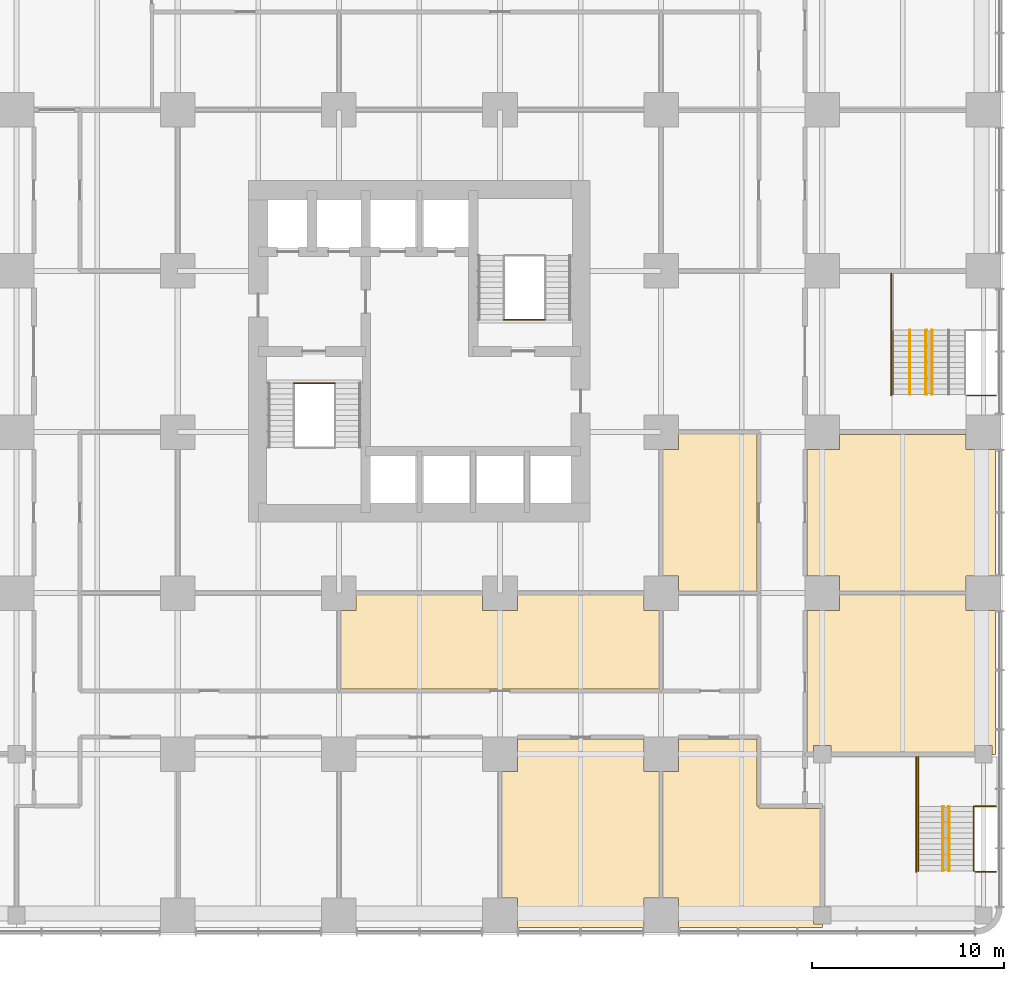
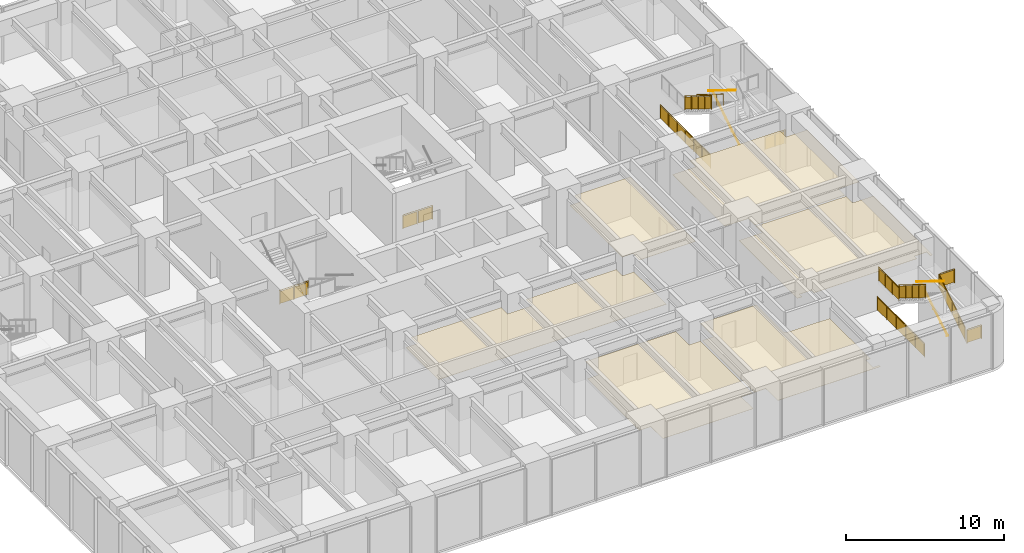
# One storey, part 15 of 17: 16 railings, 6 coverings.
"""IFC4 building model written with IfcOpenShell, lengths in metres."""

import ifcopenshell
import ifcopenshell.guid

model = None  # the IFC model being written
_history = None  # IfcOwnerHistory: only IFC2X3 demands one
_inside = {}  # id of a spatial element -> (the spatial element, [elements in it])
_under = {}  # id of a project, library or spatial element -> (it, [spatial elements below it])
_declared = {}  # id of a project -> (the project, [libraries it declares])
_typed = {}  # id of a type object -> (the type object, [elements of that type])
_made_of = {}  # id of a material, layer set ... -> (it, [elements and type objects made of it])


def new_model(schema):
    """Start an empty IFC model of exactly this schema.

    Asked for "IFC4X3", IfcOpenShell would pick the latest addendum, in which some entities
    have other attributes; the version numbers below select the first issue.
    IFC2X3 requires an IfcOwnerHistory on every rooted entity: one is made here for all.
    """
    global model, _history
    if schema == "IFC4X3":
        model = ifcopenshell.file(schema_version=(4, 3, 0, 0))
    else:
        model = ifcopenshell.file(schema=schema)
    _inside.clear()
    _under.clear()
    _declared.clear()
    _typed.clear()
    _made_of.clear()
    _history = None
    if model.schema == "IFC2X3":
        org = make("IfcOrganization", Name="unknown")
        user = make(
            "IfcPersonAndOrganization",
            ThePerson=make("IfcPerson", FamilyName="unknown"),
            TheOrganization=org,
        )
        app = make(
            "IfcApplication",
            ApplicationDeveloper=org,
            Version="unknown",
            ApplicationFullName="unknown",
            ApplicationIdentifier="unknown",
        )
        _history = make(
            "IfcOwnerHistory",
            OwningUser=user,
            OwningApplication=app,
            ChangeAction="ADDED",
            CreationDate=0,
        )
    return model


def make(cls, **values):
    """One entity of the class cls with the attributes given. An attribute that is None is left unset."""
    return model.create_entity(
        cls, **{name: value for name, value in values.items() if value is not None}
    )


def rooted(cls, **values):
    """An entity with a GlobalId (a new one), such as an element, a storey or a relation."""
    return make(cls, GlobalId=ifcopenshell.guid.new(), OwnerHistory=_history, **values)


def si_unit(unit_type, name, prefix=None):
    """IfcSIUnit, for example si_unit("LENGTHUNIT", "METRE", prefix="MILLI")."""
    return make("IfcSIUnit", UnitType=unit_type, Prefix=prefix, Name=name)


def assignment(units):
    """IfcUnitAssignment: the units of a project."""
    return None if units is None else make("IfcUnitAssignment", Units=units)


def point(xyz):
    """IfcCartesianPoint."""
    return None if xyz is None else make("IfcCartesianPoint", Coordinates=xyz)


def direction(xyz):
    """IfcDirection."""
    return None if xyz is None else make("IfcDirection", DirectionRatios=xyz)


def frame(location, z_axis=None, x_axis=None):
    """IfcAxis2Placement3D, a coordinate frame: its origin and axes. An axis left out is left unset."""
    return make(
        "IfcAxis2Placement3D",
        Location=point(location),
        Axis=direction(z_axis),
        RefDirection=direction(x_axis),
    )


def frame_2d(location, x_axis=None):
    """IfcAxis2Placement2D, a coordinate frame in the plane: its origin and x axis."""
    return make(
        "IfcAxis2Placement2D", Location=point(location), RefDirection=direction(x_axis)
    )


def origin():
    """The frame at (0, 0, 0) with its axes left unset."""
    return frame((0.0, 0.0, 0.0))


def origin_2d():
    """The frame at (0, 0) in the plane with its x axis left unset."""
    return frame_2d((0.0, 0.0))


def place(relative_to, where):
    """IfcLocalPlacement: puts the frame where relative to a parent placement (None: the world)."""
    return make(
        "IfcLocalPlacement", PlacementRelTo=relative_to, RelativePlacement=where
    )


def context(
    kind, dimensions, precision=None, world=None, true_north=None, identifier=None
):
    """IfcGeometricRepresentationContext, for example the 3D "Model" context."""
    return make(
        "IfcGeometricRepresentationContext",
        ContextIdentifier=identifier,
        ContextType=kind,
        CoordinateSpaceDimension=dimensions,
        Precision=precision,
        WorldCoordinateSystem=world,
        TrueNorth=true_north,
    )


def subcontext(parent, identifier, kind, view, scale=None):
    """IfcGeometricRepresentationSubContext, for example "Body" below "Model"."""
    return make(
        "IfcGeometricRepresentationSubContext",
        ContextIdentifier=identifier,
        ContextType=kind,
        ParentContext=parent,
        TargetScale=scale,
        TargetView=view,
    )


def project(units=None, contexts=None):
    """IfcProject with its units and contexts."""
    return rooted(
        "IfcProject",
        Name="project",
        RepresentationContexts=contexts,
        UnitsInContext=assignment(units),
    )


def spatial(cls, under=None, at=None, **own):
    """A site, building, storey or space (cls), placed at a placement, below another one or the project."""
    s = rooted(cls, ObjectPlacement=at, **own)
    if under is not None:
        _under.setdefault(under.id(), (under, []))[1].append(s)
    return s


def polyline(points):
    """IfcPolyline through the points."""
    return make("IfcPolyline", Points=[point(p) for p in points])


def profile(cls, at=None, kind="AREA", **sizes):
    """A parametric profile (cls). Its sizes go by their IFC names, for example OverallWidth=200.0."""
    return make(cls, ProfileType=kind, Position=at, **sizes)


def circle(**sizes):
    """IfcCircleProfileDef."""
    return profile("IfcCircleProfileDef", **sizes)


def outline(outer, holes=None, kind="AREA"):
    """IfcArbitraryClosedProfileDef: a profile drawn as a closed curve; with holes, ...WithVoids."""
    if holes is None:
        return make("IfcArbitraryClosedProfileDef", ProfileType=kind, OuterCurve=outer)
    return make(
        "IfcArbitraryProfileDefWithVoids",
        ProfileType=kind,
        OuterCurve=outer,
        InnerCurves=holes,
    )


def extrude(swept, where, along, depth):
    """IfcExtrudedAreaSolid: the profile swept, set in the frame where, extruded along a direction by depth."""
    return make(
        "IfcExtrudedAreaSolid",
        SweptArea=swept,
        Position=where,
        ExtrudedDirection=direction(along),
        Depth=depth,
    )


def shape(context_of_items, identifier, shape_type, items):
    """IfcShapeRepresentation: the items that make up one representation, for example the "Body"."""
    return make(
        "IfcShapeRepresentation",
        ContextOfItems=context_of_items,
        RepresentationIdentifier=identifier,
        RepresentationType=shape_type,
        Items=items,
    )


def material(Name=None, Category=None):
    """IfcMaterial."""
    return make("IfcMaterial", Name=Name, Category=Category)


def layer(
    of_material, thickness, ventilated=None, Name=None, Category=None, Priority=None
):
    """IfcMaterialLayer: one layer of a wall or slab, of a material (None: an air gap)."""
    return make(
        "IfcMaterialLayer",
        Material=of_material,
        LayerThickness=thickness,
        IsVentilated=ventilated,
        Name=Name,
        Category=Category,
        Priority=Priority,
    )


def layer_set(layers, Name=None):
    """IfcMaterialLayerSet."""
    return make("IfcMaterialLayerSet", MaterialLayers=layers, LayerSetName=Name)


def made_of(thing, what):
    """Note that an element or type object is made of a material, layer set ...; save() writes the relation."""
    if what is not None:
        _made_of.setdefault(what.id(), (what, []))[1].append(thing)
    return thing


def type_object(cls, material=None, **own):
    """A type object (cls), such as IfcWallType, which elements share."""
    return made_of(rooted(cls, **own), material)


def element(
    cls,
    number,
    at=None,
    inside=None,
    cuts=None,
    type_object=None,
    material=None,
    context=None,
    identifier="Body",
    shape_type=None,
    held_by="IfcProductDefinitionShape",
    body=None,
    shapes=None,
    **own,
):
    """One element of the class cls, such as IfcWall. Its Tag is "e" and its number.

    at: its placement. inside: the storey or other place that contains it. cuts: it is an
    opening in that element (IfcRelVoidsElement). A single representation is given by context,
    identifier, shape_type and body (its items); several are given by shapes. held_by: the class
    of the entity that holds the representations. save() writes the other relations.
    """
    e = rooted(cls, Tag="e%d" % number, ObjectPlacement=at, **own)
    if body is not None:
        shapes = [shape(context, identifier, shape_type, body)]
    if shapes is not None:
        e.Representation = make(held_by, Representations=shapes)
    if inside is not None:
        _inside.setdefault(inside.id(), (inside, []))[1].append(e)
    if cuts is not None:
        rooted(
            "IfcRelVoidsElement", RelatingBuildingElement=cuts, RelatedOpeningElement=e
        )
    if type_object is not None:
        _typed.setdefault(type_object.id(), (type_object, []))[1].append(e)
    return made_of(e, material)


def aggregate(whole, parts):
    """IfcRelAggregates: a whole, such as a stair, and the parts it consists of."""
    return rooted("IfcRelAggregates", RelatingObject=whole, RelatedObjects=parts)


def save(model, path):
    """Write the relations noted so far, then the file.

    IfcRelAggregates (storeys below a building ...), IfcRelContainedInSpatialStructure (elements
    in a storey), IfcRelDefinesByType, IfcRelAssociatesMaterial and IfcRelDeclares: one each for
    every whole, place, type object, material and project.
    """
    for whole, parts in _under.values():
        aggregate(whole, parts)
    for where, things in _inside.values():
        rooted(
            "IfcRelContainedInSpatialStructure",
            RelatedElements=things,
            RelatingStructure=where,
        )
    for kind, things in _typed.values():
        rooted("IfcRelDefinesByType", RelatedObjects=things, RelatingType=kind)
    for what, things in _made_of.values():
        rooted("IfcRelAssociatesMaterial", RelatedObjects=things, RelatingMaterial=what)
    for by, libraries in _declared.values():
        rooted("IfcRelDeclares", RelatingContext=by, RelatedDefinitions=libraries)
    model.write(path)


model = new_model("IFC4")

# Units and contexts
model_context = context("Model", 3, precision=1e-05, world=origin(), true_north=direction((0.0, 1.0)))
body_context = subcontext(model_context, "Body", "Model", "MODEL_VIEW")
ifc_project = project(units=[si_unit("LENGTHUNIT", "METRE"), si_unit("AREAUNIT", "SQUARE_METRE"), si_unit("VOLUMEUNIT", "CUBIC_METRE"), si_unit("PLANEANGLEUNIT", "RADIAN"), si_unit("MASSUNIT", "GRAM", prefix="KILO")], contexts=[model_context])

# Site, building, storey
site_placement = place(None, origin())
site = spatial("IfcSite", under=ifc_project, at=site_placement, CompositionType="ELEMENT")
building_placement = place(site_placement, origin())
building = spatial("IfcBuilding", under=site, at=building_placement, Name="Torre Alcanfor", CompositionType="ELEMENT")
storey_placement = place(building_placement, frame((0.0, 0.0, 19.5)))
storey = spatial("IfcBuildingStorey", under=building, at=storey_placement, Name="L04", CompositionType="ELEMENT", Elevation=19.5)

# Coverings
ifc_material_1 = material(Name="Mineral fibre acoustic tile 20 mm, NRC 0.70, on exposed suspension grid", Category="mineral fibre")
ifc_layer = layer(ifc_material_1, 0.02001953125)
ifc_layer_set = layer_set([ifc_layer], Name="Acoustic suspended ceiling 600x600 mineral fibre tile")
covering_type = type_object("IfcCoveringType", Name="Acoustic suspended ceiling 600x600 mineral fibre tile", PredefinedType="CEILING", material=ifc_layer_set)
covering_1_placement = place(storey_placement, frame((0.0, 0.0, 2.75)))
element("IfcCovering", 1, at=covering_1_placement, inside=storey, type_object=covering_type, Name="Ceiling L04-02", PredefinedType="CEILING", context=body_context, shape_type="SweptSolid", body=[
    extrude(outline(polyline([(49.949951171875, -0.449951171875), (49.949951171875, 0.449951171875), (50.27490234375, 0.449951171875), (50.27490234375, 5.574951171875), (49.5, 5.574951171875), (49.5, 5.60009765625), (47.10009765625, 5.60009765625), (47.10009765625, 5.699951171875), (47.0, 5.699951171875), (47.0, 9.199951171875), (42.89990234375, 9.199951171875), (42.89990234375, 7.5), (42.074951171875, 7.5), (42.074951171875, 0.89990234375), (42.89990234375, 0.89990234375), (42.89990234375, -0.625), (50.39990234375, -0.625), (50.39990234375, -0.449951171875), (49.949951171875, -0.449951171875)])), origin(), (0.0, 0.0, 1.0), 0.02001953125),
])
covering_2_placement = place(storey_placement, frame((0.0, 0.0, 2.75)))
element("IfcCovering", 2, at=covering_2_placement, inside=storey, type_object=covering_type, Name="Ceiling L04-07", PredefinedType="CEILING", context=body_context, shape_type="SweptSolid", body=[
    extrude(outline(polyline([(41.925048828125, 7.5), (41.10009765625, 7.5), (41.10009765625, 9.199951171875), (34.5, 9.199951171875), (34.5, 7.5), (33.675048828125, 7.5), (33.675048828125, 0.89990234375), (34.5, 0.89990234375), (34.5, -0.625), (41.10009765625, -0.625), (41.10009765625, 0.89990234375), (41.925048828125, 0.89990234375), (41.925048828125, 7.5)])), origin(), (0.0, 0.0, 1.0), 0.02001953125),
])
covering_3_placement = place(storey_placement, frame((0.0, 0.0, 2.75)))
element("IfcCovering", 3, at=covering_3_placement, inside=storey, type_object=covering_type, Name="Ceiling L04-09", PredefinedType="CEILING", context=body_context, shape_type="SweptSolid", body=[
    extrude(outline(polyline([(51.300048828125, 16.72509765625), (51.300048828125, 15.89990234375), (49.60009765625, 15.89990234375), (49.60009765625, 8.52490234375), (49.949951171875, 8.52490234375), (49.949951171875, 8.85009765625), (50.85009765625, 8.85009765625), (50.85009765625, 8.52490234375), (58.35009765625, 8.52490234375), (58.35009765625, 8.85009765625), (59.25, 8.85009765625), (59.25, 8.39990234375), (59.425048828125, 8.39990234375), (59.425048828125, 15.89990234375), (57.89990234375, 15.89990234375), (57.89990234375, 16.72509765625), (51.300048828125, 16.72509765625)])), origin(), (0.0, 0.0, 1.0), 0.02001953125),
])
covering_4_placement = place(storey_placement, frame((0.0, 0.0, 2.75)))
element("IfcCovering", 4, at=covering_4_placement, inside=storey, type_object=covering_type, Name="Ceiling L04-11", PredefinedType="CEILING", context=body_context, shape_type="SweptSolid", body=[
    extrude(outline(polyline([(51.300048828125, 25.074951171875), (51.300048828125, 24.300048828125), (49.60009765625, 24.300048828125), (49.60009765625, 17.699951171875), (51.300048828125, 17.699951171875), (51.300048828125, 16.875), (57.89990234375, 16.875), (57.89990234375, 17.699951171875), (59.425048828125, 17.699951171875), (59.425048828125, 24.300048828125), (57.89990234375, 24.300048828125), (57.89990234375, 25.074951171875), (51.300048828125, 25.074951171875)])), origin(), (0.0, 0.0, 1.0), 0.02001953125),
])
covering_5_placement = place(storey_placement, frame((0.0, 0.0, 3.0)))
element("IfcCovering", 5, at=covering_5_placement, inside=storey, type_object=covering_type, Name="Ceiling L04-I01", PredefinedType="CEILING", context=body_context, shape_type="SweptSolid", body=[
    extrude(outline(polyline([(34.5, 15.89990234375), (32.699951171875, 15.89990234375), (32.699951171875, 16.699951171875), (26.10009765625, 16.699951171875), (26.10009765625, 15.89990234375), (25.27490234375, 15.89990234375), (25.27490234375, 11.800048828125), (41.925048828125, 11.800048828125), (41.925048828125, 15.89990234375), (41.10009765625, 15.89990234375), (41.10009765625, 16.699951171875), (34.5, 16.699951171875), (34.5, 15.89990234375)])), origin(), (0.0, 0.0, 1.0), 0.02001953125),
])
covering_6_placement = place(storey_placement, frame((0.0, 0.0, 3.0)))
element("IfcCovering", 6, at=covering_6_placement, inside=storey, type_object=covering_type, Name="Ceiling L04-I05", PredefinedType="CEILING", context=body_context, shape_type="SweptSolid", body=[
    extrude(outline(polyline([(42.89990234375, 25.10009765625), (42.89990234375, 24.300048828125), (42.10009765625, 24.300048828125), (42.10009765625, 17.699951171875), (42.89990234375, 17.699951171875), (42.89990234375, 16.875), (47.0, 16.875), (47.0, 25.10009765625), (42.89990234375, 25.10009765625)])), origin(), (0.0, 0.0, 1.0), 0.02001953125),
])

# Railings
ifc_material_2 = material(Name="Steel ASTM A500 Grade C hollow sections", Category="steel")
railing_type_1 = type_object("IfcRailingType", Name="Stair guard and handrail 1100", PredefinedType="GUARDRAIL", material=ifc_material_2)
for number, where, name in (
    (7, (22.85009765625, 27.75, 0.0), "Stair well guard S1 L04 floor landing"),
    (8, (33.800048828125, 31.050048828125, 0.0), "Stair well guard S2 L04 floor landing"),
):
    element("IfcRailing", number, at=place(storey_placement, frame(where)), inside=storey, type_object=railing_type_1, Name=name, PredefinedType="GUARDRAIL", context=body_context, shape_type="SweptSolid", body=[
        extrude(circle(Radius=0.02392578125, at=origin_2d()), frame((0.0, 0.0, 1.076171875), z_axis=(1.0, 0.0, 0.0), x_axis=(0.0, 1.0, 0.0)), (0.0, 0.0, 1.0), 2.14990234375),
        extrude(circle(Radius=0.02099609375, at=origin_2d()), origin(), (0.0, 0.0, 1.0), 1.052001953125),
        extrude(circle(Radius=0.02099609375, at=origin_2d()), frame((1.074951171875, 0.0, 0.0)), (0.0, 0.0, 1.0), 1.052001953125),
        extrude(circle(Radius=0.02099609375, at=origin_2d()), frame((2.14990234375, 0.0, 0.0)), (0.0, 0.0, 1.0), 1.052001953125),
        extrude(outline(polyline([(0.041015625, 0.050048828125), (1.033935546875, 0.050048828125), (1.033935546875, 1.001953125), (0.041015625, 1.001953125), (0.041015625, 0.050048828125)])), frame((0.0, 0.005859375, 0.0), z_axis=(0.0, -1.0, 0.0), x_axis=(1.0, 0.0, 0.0)), (0.0, 0.0, 1.0), 0.011962890625),
        extrude(outline(polyline([(1.115966796875, 0.050048828125), (2.10888671875, 0.050048828125), (2.10888671875, 1.001953125), (1.115966796875, 1.001953125), (1.115966796875, 0.050048828125)])), frame((0.0, 0.005859375, 0.0), z_axis=(0.0, -1.0, 0.0), x_axis=(1.0, 0.0, 0.0)), (0.0, 0.0, 1.0), 0.011962890625),
    ])
railing_1_placement = place(storey_placement, frame((53.989990234375, 27.10498046875, 0.0)))
element("IfcRailing", 9, at=railing_1_placement, inside=storey, type_object=railing_type_1, Name="Stair well guard SS2 L04 door side", PredefinedType="GUARDRAIL", context=body_context, shape_type="SweptSolid", body=[
    extrude(circle(Radius=0.02392578125, at=origin_2d()), frame((0.0, 0.0, 1.076171875), z_axis=(0.0, 1.0, 0.0), x_axis=(-1.0, 0.0, 0.0)), (0.0, 0.0, 1.0), 6.360107421875),
    extrude(circle(Radius=0.02099609375, at=origin_2d()), origin(), (0.0, 0.0, 1.0), 1.052001953125),
    extrude(circle(Radius=0.02099609375, at=origin_2d()), frame((0.0, 1.06005859375, 0.0)), (0.0, 0.0, 1.0), 1.052001953125),
    extrude(circle(Radius=0.02099609375, at=origin_2d()), frame((0.0, 2.1201171875, 0.0)), (0.0, 0.0, 1.0), 1.052001953125),
    extrude(circle(Radius=0.02099609375, at=origin_2d()), frame((0.0, 3.18017578125, 0.0)), (0.0, 0.0, 1.0), 1.052001953125),
    extrude(circle(Radius=0.02099609375, at=origin_2d()), frame((0.0, 4.239990234375, 0.0)), (0.0, 0.0, 1.0), 1.052001953125),
    extrude(circle(Radius=0.02099609375, at=origin_2d()), frame((0.0, 5.300048828125, 0.0)), (0.0, 0.0, 1.0), 1.052001953125),
    extrude(circle(Radius=0.02099609375, at=origin_2d()), frame((0.0, 6.360107421875, 0.0)), (0.0, 0.0, 1.0), 1.052001953125),
    extrude(outline(polyline([(0.041015625, 0.050048828125), (1.01904296875, 0.050048828125), (1.01904296875, 1.001953125), (0.041015625, 1.001953125), (0.041015625, 0.050048828125)])), frame((-0.005859375, 0.0, 0.0), z_axis=(1.0, 0.0, 0.0), x_axis=(0.0, 1.0, 0.0)), (0.0, 0.0, 1.0), 0.011962890625),
    extrude(outline(polyline([(1.10107421875, 0.050048828125), (2.0791015625, 0.050048828125), (2.0791015625, 1.001953125), (1.10107421875, 1.001953125), (1.10107421875, 0.050048828125)])), frame((-0.005859375, 0.0, 0.0), z_axis=(1.0, 0.0, 0.0), x_axis=(0.0, 1.0, 0.0)), (0.0, 0.0, 1.0), 0.011962890625),
    extrude(outline(polyline([(2.1611328125, 0.050048828125), (3.13916015625, 0.050048828125), (3.13916015625, 1.001953125), (2.1611328125, 1.001953125), (2.1611328125, 0.050048828125)])), frame((-0.005859375, 0.0, 0.0), z_axis=(1.0, 0.0, 0.0), x_axis=(0.0, 1.0, 0.0)), (0.0, 0.0, 1.0), 0.011962890625),
    extrude(outline(polyline([(3.220947265625, 0.050048828125), (4.198974609375, 0.050048828125), (4.198974609375, 1.001953125), (3.220947265625, 1.001953125), (3.220947265625, 0.050048828125)])), frame((-0.005859375, 0.0, 0.0), z_axis=(1.0, 0.0, 0.0), x_axis=(0.0, 1.0, 0.0)), (0.0, 0.0, 1.0), 0.011962890625),
    extrude(outline(polyline([(4.281005859375, 0.050048828125), (5.259033203125, 0.050048828125), (5.259033203125, 1.001953125), (4.281005859375, 1.001953125), (4.281005859375, 0.050048828125)])), frame((-0.005859375, 0.0, 0.0), z_axis=(1.0, 0.0, 0.0), x_axis=(0.0, 1.0, 0.0)), (0.0, 0.0, 1.0), 0.011962890625),
    extrude(outline(polyline([(5.341064453125, 0.050048828125), (6.319091796875, 0.050048828125), (6.319091796875, 1.001953125), (5.341064453125, 1.001953125), (5.341064453125, 0.050048828125)])), frame((-0.005859375, 0.0, 0.0), z_axis=(1.0, 0.0, 0.0), x_axis=(0.0, 1.0, 0.0)), (0.0, 0.0, 1.0), 0.011962890625),
])
railing_2_placement = place(storey_placement, frame((59.449951171875, 27.10498046875, 0.0)))
element("IfcRailing", 10, at=railing_2_placement, inside=storey, type_object=railing_type_1, Name="Stair well guard SS2 L04 facade strip", PredefinedType="GUARDRAIL", context=body_context, shape_type="SweptSolid", body=[
    extrude(circle(Radius=0.02392578125, at=origin_2d()), frame((0.0, 0.0, 1.076171875), z_axis=(-1.0, 0.0, 0.0), x_axis=(0.0, -1.0, 0.0)), (0.0, 0.0, 1.0), 1.5),
    extrude(circle(Radius=0.02099609375, at=origin_2d()), origin(), (0.0, 0.0, 1.0), 1.052001953125),
    extrude(circle(Radius=0.02099609375, at=origin_2d()), frame((-0.75, 0.0, 0.0)), (0.0, 0.0, 1.0), 1.052001953125),
    extrude(circle(Radius=0.02099609375, at=origin_2d()), frame((-1.5, 0.0, 0.0)), (0.0, 0.0, 1.0), 1.052001953125),
    extrude(outline(polyline([(0.041015625, 0.050048828125), (0.708984375, 0.050048828125), (0.708984375, 1.001953125), (0.041015625, 1.001953125), (0.041015625, 0.050048828125)])), frame((0.0, -0.005859375, 0.0), z_axis=(0.0, 1.0, 0.0), x_axis=(-1.0, 0.0, 0.0)), (0.0, 0.0, 1.0), 0.011962890625),
    extrude(outline(polyline([(0.791015625, 0.050048828125), (1.458984375, 0.050048828125), (1.458984375, 1.001953125), (0.791015625, 1.001953125), (0.791015625, 0.050048828125)])), frame((0.0, -0.005859375, 0.0), z_axis=(0.0, 1.0, 0.0), x_axis=(-1.0, 0.0, 0.0)), (0.0, 0.0, 1.0), 0.011962890625),
])
railing_3_placement = place(storey_placement, frame((54.090087890625, 30.514892578125, 2.423095703125)))
element("IfcRailing", 11, at=railing_3_placement, inside=storey, type_object=railing_type_1, Name="Stair guard SS2 L04 flight 2", PredefinedType="GUARDRAIL", context=body_context, shape_type="SweptSolid", body=[
    extrude(circle(Radius=0.02392578125, at=origin_2d()), frame((0.0, 0.0, 1.076171875), z_axis=(0.0, -0.850606129759, 0.525803396734), x_axis=(1.0, 0.0, 0.0)), (0.0, 0.0, 1.0), 3.949951171875),
    extrude(circle(Radius=0.02099609375, at=origin_2d()), origin(), (0.0, 0.0, 1.0), 1.052001953125),
    extrude(circle(Radius=0.02099609375, at=origin_2d()), frame((0.0, -0.83984375, 0.519287109375)), (0.0, 0.0, 1.0), 1.052001953125),
    extrude(circle(Radius=0.02099609375, at=origin_2d()), frame((0.0, -1.679931640625, 1.03857421875)), (0.0, 0.0, 1.0), 1.052001953125),
    extrude(circle(Radius=0.02099609375, at=origin_2d()), frame((0.0, -2.52001953125, 1.5576171875)), (0.0, 0.0, 1.0), 1.052001953125),
    extrude(circle(Radius=0.02099609375, at=origin_2d()), frame((0.0, -3.35986328125, 2.076904296875)), (0.0, 0.0, 1.0), 1.052001953125),
    extrude(outline(polyline([(0.041015625, 0.075439453125), (0.799072265625, 0.5439453125), (0.799072265625, 1.495849609375), (0.041015625, 1.02734375), (0.041015625, 0.075439453125)])), frame((0.005859375, 0.0, 0.0), z_axis=(-1.0, 0.0, 0.0), x_axis=(0.0, -1.0, 0.0)), (0.0, 0.0, 1.0), 0.011962890625),
    extrude(outline(polyline([(0.880859375, 0.594482421875), (1.638916015625, 1.06298828125), (1.638916015625, 2.01513671875), (0.880859375, 1.546630859375), (0.880859375, 0.594482421875)])), frame((0.005859375, 0.0, 0.0), z_axis=(-1.0, 0.0, 0.0), x_axis=(0.0, -1.0, 0.0)), (0.0, 0.0, 1.0), 0.011962890625),
    extrude(outline(polyline([(1.720947265625, 1.11376953125), (2.47900390625, 1.582275390625), (2.47900390625, 2.534423828125), (1.720947265625, 2.06591796875), (1.720947265625, 1.11376953125)])), frame((0.005859375, 0.0, 0.0), z_axis=(-1.0, 0.0, 0.0), x_axis=(0.0, -1.0, 0.0)), (0.0, 0.0, 1.0), 0.011962890625),
    extrude(outline(polyline([(2.560791015625, 1.633056640625), (3.31884765625, 2.1015625), (3.31884765625, 3.053466796875), (2.560791015625, 2.5849609375), (2.560791015625, 1.633056640625)])), frame((0.005859375, 0.0, 0.0), z_axis=(-1.0, 0.0, 0.0), x_axis=(0.0, -1.0, 0.0)), (0.0, 0.0, 1.0), 0.011962890625),
])
railing_4_placement = place(storey_placement, frame((55.300048828125, 2.27490234375, 0.0)))
element("IfcRailing", 12, at=railing_4_placement, inside=storey, type_object=railing_type_1, Name="Stair well guard SS3 L04 door side", PredefinedType="GUARDRAIL", context=body_context, shape_type="SweptSolid", body=[
    extrude(circle(Radius=0.02392578125, at=origin_2d()), frame((0.0, 0.0, 1.076171875), z_axis=(0.0, 1.0, 0.0), x_axis=(-1.0, 0.0, 0.0)), (0.0, 0.0, 1.0), 5.989990234375),
    extrude(circle(Radius=0.02099609375, at=origin_2d()), origin(), (0.0, 0.0, 1.0), 1.052001953125),
    extrude(circle(Radius=0.02099609375, at=origin_2d()), frame((0.0, 1.197998046875, 0.0)), (0.0, 0.0, 1.0), 1.052001953125),
    extrude(circle(Radius=0.02099609375, at=origin_2d()), frame((0.0, 2.39599609375, 0.0)), (0.0, 0.0, 1.0), 1.052001953125),
    extrude(circle(Radius=0.02099609375, at=origin_2d()), frame((0.0, 3.593994140625, 0.0)), (0.0, 0.0, 1.0), 1.052001953125),
    extrude(circle(Radius=0.02099609375, at=origin_2d()), frame((0.0, 4.7919921875, 0.0)), (0.0, 0.0, 1.0), 1.052001953125),
    extrude(circle(Radius=0.02099609375, at=origin_2d()), frame((0.0, 5.989990234375, 0.0)), (0.0, 0.0, 1.0), 1.052001953125),
    extrude(outline(polyline([(0.041015625, 0.050048828125), (1.156982421875, 0.050048828125), (1.156982421875, 1.001953125), (0.041015625, 1.001953125), (0.041015625, 0.050048828125)])), frame((-0.005859375, 0.0, 0.0), z_axis=(1.0, 0.0, 0.0), x_axis=(0.0, 1.0, 0.0)), (0.0, 0.0, 1.0), 0.011962890625),
    extrude(outline(polyline([(1.239013671875, 0.050048828125), (2.35498046875, 0.050048828125), (2.35498046875, 1.001953125), (1.239013671875, 1.001953125), (1.239013671875, 0.050048828125)])), frame((-0.005859375, 0.0, 0.0), z_axis=(1.0, 0.0, 0.0), x_axis=(0.0, 1.0, 0.0)), (0.0, 0.0, 1.0), 0.011962890625),
    extrude(outline(polyline([(2.43701171875, 0.050048828125), (3.552978515625, 0.050048828125), (3.552978515625, 1.001953125), (2.43701171875, 1.001953125), (2.43701171875, 0.050048828125)])), frame((-0.005859375, 0.0, 0.0), z_axis=(1.0, 0.0, 0.0), x_axis=(0.0, 1.0, 0.0)), (0.0, 0.0, 1.0), 0.011962890625),
    extrude(outline(polyline([(3.635009765625, 0.050048828125), (4.7509765625, 0.050048828125), (4.7509765625, 1.001953125), (3.635009765625, 1.001953125), (3.635009765625, 0.050048828125)])), frame((-0.005859375, 0.0, 0.0), z_axis=(1.0, 0.0, 0.0), x_axis=(0.0, 1.0, 0.0)), (0.0, 0.0, 1.0), 0.011962890625),
    extrude(outline(polyline([(4.8330078125, 0.050048828125), (5.948974609375, 0.050048828125), (5.948974609375, 1.001953125), (4.8330078125, 1.001953125), (4.8330078125, 0.050048828125)])), frame((-0.005859375, 0.0, 0.0), z_axis=(1.0, 0.0, 0.0), x_axis=(0.0, 1.0, 0.0)), (0.0, 0.0, 1.0), 0.011962890625),
])
railing_5_placement = place(storey_placement, frame((59.449951171875, 2.27490234375, 0.0)))
element("IfcRailing", 13, at=railing_5_placement, inside=storey, type_object=railing_type_1, Name="Stair well guard SS3 L04 facade strip", PredefinedType="GUARDRAIL", context=body_context, shape_type="SweptSolid", body=[
    extrude(circle(Radius=0.02392578125, at=origin_2d()), frame((0.0, 0.0, 1.076171875), z_axis=(-1.0, 0.0, 0.0), x_axis=(0.0, -1.0, 0.0)), (0.0, 0.0, 1.0), 1.050048828125),
    extrude(circle(Radius=0.02099609375, at=origin_2d()), origin(), (0.0, 0.0, 1.0), 1.052001953125),
    extrude(circle(Radius=0.02099609375, at=origin_2d()), frame((-1.050048828125, 0.0, 0.0)), (0.0, 0.0, 1.0), 1.052001953125),
    extrude(outline(polyline([(0.041015625, 0.050048828125), (1.009033203125, 0.050048828125), (1.009033203125, 1.001953125), (0.041015625, 1.001953125), (0.041015625, 0.050048828125)])), frame((0.0, -0.005859375, 0.0), z_axis=(0.0, 1.0, 0.0), x_axis=(-1.0, 0.0, 0.0)), (0.0, 0.0, 1.0), 0.011962890625),
])
railing_6_placement = place(storey_placement, frame((58.300048828125, 2.324951171875, 0.173095703125)))
element("IfcRailing", 14, at=railing_6_placement, inside=storey, type_object=railing_type_1, Name="Stair guard SS3 L04 flight 1", PredefinedType="GUARDRAIL", context=body_context, shape_type="SweptSolid", body=[
    extrude(circle(Radius=0.02392578125, at=origin_2d()), frame((0.0, 0.0, 1.076171875), z_axis=(0.0, 0.850623216509, 0.525775754039), x_axis=(-1.0, 0.0, 0.0)), (0.0, 0.0, 1.0), 3.9501953125),
    extrude(circle(Radius=0.02099609375, at=origin_2d()), origin(), (0.0, 0.0, 1.0), 1.052001953125),
    extrude(circle(Radius=0.02099609375, at=origin_2d()), frame((0.0, 0.840087890625, 0.519287109375)), (0.0, 0.0, 1.0), 1.052001953125),
    extrude(circle(Radius=0.02099609375, at=origin_2d()), frame((0.0, 1.68017578125, 1.03857421875)), (0.0, 0.0, 1.0), 1.052001953125),
    extrude(circle(Radius=0.02099609375, at=origin_2d()), frame((0.0, 2.52001953125, 1.5576171875)), (0.0, 0.0, 1.0), 1.052001953125),
    extrude(circle(Radius=0.02099609375, at=origin_2d()), frame((0.0, 3.360107421875, 2.076904296875)), (0.0, 0.0, 1.0), 1.052001953125),
    extrude(outline(polyline([(0.041015625, 0.075439453125), (0.799072265625, 0.5439453125), (0.799072265625, 1.495849609375), (0.041015625, 1.02734375), (0.041015625, 0.075439453125)])), frame((-0.005859375, 0.0, 0.0), z_axis=(1.0, 0.0, 0.0), x_axis=(0.0, 1.0, 0.0)), (0.0, 0.0, 1.0), 0.011962890625),
    extrude(outline(polyline([(0.881103515625, 0.594482421875), (1.63916015625, 1.06298828125), (1.63916015625, 2.01513671875), (0.881103515625, 1.546630859375), (0.881103515625, 0.594482421875)])), frame((-0.005859375, 0.0, 0.0), z_axis=(1.0, 0.0, 0.0), x_axis=(0.0, 1.0, 0.0)), (0.0, 0.0, 1.0), 0.011962890625),
    extrude(outline(polyline([(1.720947265625, 1.11376953125), (2.47900390625, 1.582275390625), (2.47900390625, 2.534423828125), (1.720947265625, 2.065673828125), (1.720947265625, 1.11376953125)])), frame((-0.005859375, 0.0, 0.0), z_axis=(1.0, 0.0, 0.0), x_axis=(0.0, 1.0, 0.0)), (0.0, 0.0, 1.0), 0.011962890625),
    extrude(outline(polyline([(2.56103515625, 1.633056640625), (3.319091796875, 2.1015625), (3.319091796875, 3.053466796875), (2.56103515625, 2.5849609375), (2.56103515625, 1.633056640625)])), frame((-0.005859375, 0.0, 0.0), z_axis=(1.0, 0.0, 0.0), x_axis=(0.0, 1.0, 0.0)), (0.0, 0.0, 1.0), 0.011962890625),
])
railing_7_placement = place(storey_placement, frame((55.39990234375, 5.68505859375, 2.423095703125)))
element("IfcRailing", 15, at=railing_7_placement, inside=storey, type_object=railing_type_1, Name="Stair guard SS3 L04 flight 2", PredefinedType="GUARDRAIL", context=body_context, shape_type="SweptSolid", body=[
    extrude(circle(Radius=0.02392578125, at=origin_2d()), frame((0.0, 0.0, 1.076171875), z_axis=(0.0, -0.850623216509, 0.525775754039), x_axis=(1.0, 0.0, 0.0)), (0.0, 0.0, 1.0), 3.9501953125),
    extrude(circle(Radius=0.02099609375, at=origin_2d()), origin(), (0.0, 0.0, 1.0), 1.052001953125),
    extrude(circle(Radius=0.02099609375, at=origin_2d()), frame((0.0, -0.840087890625, 0.519287109375)), (0.0, 0.0, 1.0), 1.052001953125),
    extrude(circle(Radius=0.02099609375, at=origin_2d()), frame((0.0, -1.68017578125, 1.03857421875)), (0.0, 0.0, 1.0), 1.052001953125),
    extrude(circle(Radius=0.02099609375, at=origin_2d()), frame((0.0, -2.52001953125, 1.5576171875)), (0.0, 0.0, 1.0), 1.052001953125),
    extrude(circle(Radius=0.02099609375, at=origin_2d()), frame((0.0, -3.360107421875, 2.076904296875)), (0.0, 0.0, 1.0), 1.052001953125),
    extrude(outline(polyline([(0.041015625, 0.075439453125), (0.799072265625, 0.5439453125), (0.799072265625, 1.495849609375), (0.041015625, 1.02734375), (0.041015625, 0.075439453125)])), frame((0.005859375, 0.0, 0.0), z_axis=(-1.0, 0.0, 0.0), x_axis=(0.0, -1.0, 0.0)), (0.0, 0.0, 1.0), 0.011962890625),
    extrude(outline(polyline([(0.881103515625, 0.594482421875), (1.63916015625, 1.06298828125), (1.63916015625, 2.01513671875), (0.881103515625, 1.546630859375), (0.881103515625, 0.594482421875)])), frame((0.005859375, 0.0, 0.0), z_axis=(-1.0, 0.0, 0.0), x_axis=(0.0, -1.0, 0.0)), (0.0, 0.0, 1.0), 0.011962890625),
    extrude(outline(polyline([(1.720947265625, 1.11376953125), (2.47900390625, 1.582275390625), (2.47900390625, 2.534423828125), (1.720947265625, 2.065673828125), (1.720947265625, 1.11376953125)])), frame((0.005859375, 0.0, 0.0), z_axis=(-1.0, 0.0, 0.0), x_axis=(0.0, -1.0, 0.0)), (0.0, 0.0, 1.0), 0.011962890625),
    extrude(outline(polyline([(2.56103515625, 1.633056640625), (3.319091796875, 2.1015625), (3.319091796875, 3.053466796875), (2.56103515625, 2.5849609375), (2.56103515625, 1.633056640625)])), frame((0.005859375, 0.0, 0.0), z_axis=(-1.0, 0.0, 0.0), x_axis=(0.0, -1.0, 0.0)), (0.0, 0.0, 1.0), 0.011962890625),
])
railing_8_placement = place(storey_placement, frame((59.449951171875, 5.68505859375, 2.25)))
element("IfcRailing", 16, at=railing_8_placement, inside=storey, type_object=railing_type_1, Name="Stair guard SS3 L04 half landing facade strip", PredefinedType="GUARDRAIL", context=body_context, shape_type="SweptSolid", body=[
    extrude(circle(Radius=0.02392578125, at=origin_2d()), frame((0.0, 0.0, 1.076171875), z_axis=(-1.0, 0.0, 0.0), x_axis=(0.0, -1.0, 0.0)), (0.0, 0.0, 1.0), 1.099853515625),
    extrude(circle(Radius=0.02099609375, at=origin_2d()), origin(), (0.0, 0.0, 1.0), 1.052001953125),
    extrude(circle(Radius=0.02099609375, at=origin_2d()), frame((-1.099853515625, 0.0, 0.0)), (0.0, 0.0, 1.0), 1.052001953125),
    extrude(outline(polyline([(0.041015625, 0.050048828125), (1.058837890625, 0.050048828125), (1.058837890625, 1.001953125), (0.041015625, 1.001953125), (0.041015625, 0.050048828125)])), frame((0.0, -0.005859375, 0.0), z_axis=(0.0, 1.0, 0.0), x_axis=(-1.0, 0.0, 0.0)), (0.0, 0.0, 1.0), 0.011962890625),
])
railing_9_placement = place(storey_placement, frame((55.39990234375, 5.68505859375, 2.25)))
element("IfcRailing", 17, at=railing_9_placement, inside=storey, type_object=railing_type_1, Name="Stair guard SS3 L04 half landing", PredefinedType="GUARDRAIL", context=body_context, shape_type="SweptSolid", body=[
    extrude(circle(Radius=0.02392578125, at=origin_2d()), frame((0.0, 0.0, 1.076171875), z_axis=(0.0, 1.0, 0.0), x_axis=(-1.0, 0.0, 0.0)), (0.0, 0.0, 1.0), 2.579833984375),
    extrude(circle(Radius=0.02099609375, at=origin_2d()), origin(), (0.0, 0.0, 1.0), 1.052001953125),
    extrude(circle(Radius=0.02099609375, at=origin_2d()), frame((0.0, 0.85986328125, 0.0)), (0.0, 0.0, 1.0), 1.052001953125),
    extrude(circle(Radius=0.02099609375, at=origin_2d()), frame((0.0, 1.719970703125, 0.0)), (0.0, 0.0, 1.0), 1.052001953125),
    extrude(circle(Radius=0.02099609375, at=origin_2d()), frame((0.0, 2.579833984375, 0.0)), (0.0, 0.0, 1.0), 1.052001953125),
    extrude(outline(polyline([(0.041015625, 0.050048828125), (0.81884765625, 0.050048828125), (0.81884765625, 1.001953125), (0.041015625, 1.001953125), (0.041015625, 0.050048828125)])), frame((-0.005859375, 0.0, 0.0), z_axis=(1.0, 0.0, 0.0), x_axis=(0.0, 1.0, 0.0)), (0.0, 0.0, 1.0), 0.011962890625),
    extrude(outline(polyline([(0.90087890625, 0.050048828125), (1.678955078125, 0.050048828125), (1.678955078125, 1.001953125), (0.90087890625, 1.001953125), (0.90087890625, 0.050048828125)])), frame((-0.005859375, 0.0, 0.0), z_axis=(1.0, 0.0, 0.0), x_axis=(0.0, 1.0, 0.0)), (0.0, 0.0, 1.0), 0.011962890625),
    extrude(outline(polyline([(1.760986328125, 0.050048828125), (2.538818359375, 0.050048828125), (2.538818359375, 1.001953125), (1.760986328125, 1.001953125), (1.760986328125, 0.050048828125)])), frame((-0.005859375, 0.0, 0.0), z_axis=(1.0, 0.0, 0.0), x_axis=(0.0, 1.0, 0.0)), (0.0, 0.0, 1.0), 0.011962890625),
])
ifc_material_3 = material(Name="Steel ASTM A500 Grade C hollow sections", Category="steel")
railing_type_2 = type_object("IfcRailingType", Name="Stair intermediate handrail 900", PredefinedType="HANDRAIL", material=ifc_material_3)
railing_10_placement = place(storey_placement, frame((54.955078125, 30.514892578125, 2.423095703125)))
element("IfcRailing", 18, at=railing_10_placement, inside=storey, type_object=railing_type_2, Name="Stair intermediate handrail SS2 L04 flight 2 rail 1", PredefinedType="HANDRAIL", context=body_context, shape_type="SweptSolid", body=[
    extrude(circle(Radius=0.02392578125, at=origin_2d()), frame((0.0, 0.0, 0.8759765625), z_axis=(0.0, -0.850606129759, 0.525803396734), x_axis=(1.0, 0.0, 0.0)), (0.0, 0.0, 1.0), 3.949951171875),
    extrude(circle(Radius=0.02099609375, at=origin_2d()), origin(), (0.0, 0.0, 1.0), 0.851806640625),
    extrude(circle(Radius=0.02099609375, at=origin_2d()), frame((0.0, -0.83984375, 0.519287109375)), (0.0, 0.0, 1.0), 0.851806640625),
    extrude(circle(Radius=0.02099609375, at=origin_2d()), frame((0.0, -1.679931640625, 1.03857421875)), (0.0, 0.0, 1.0), 0.851806640625),
    extrude(circle(Radius=0.02099609375, at=origin_2d()), frame((0.0, -2.52001953125, 1.5576171875)), (0.0, 0.0, 1.0), 0.851806640625),
    extrude(circle(Radius=0.02099609375, at=origin_2d()), frame((0.0, -3.35986328125, 2.076904296875)), (0.0, 0.0, 1.0), 0.851806640625),
])
ifc_material_4 = material(Name="Steel ASTM A500 Grade C hollow sections", Category="steel")
railing_type_3 = type_object("IfcRailingType", Name="Stair wall handrail 900", PredefinedType="HANDRAIL", material=ifc_material_4)
railing_11_placement = place(storey_placement, frame((56.135009765625, 27.155029296875, 0.173095703125)))
element("IfcRailing", 19, at=railing_11_placement, inside=storey, type_object=railing_type_3, Name="Stair handrail SS2 L04 flight 1", PredefinedType="HANDRAIL", context=body_context, shape_type="SweptSolid", body=[
    extrude(circle(Radius=0.02392578125, at=origin_2d()), frame((0.0, 0.0, 0.8759765625), z_axis=(0.0, 0.850606129759, 0.525803396734), x_axis=(-1.0, 0.0, 0.0)), (0.0, 0.0, 1.0), 3.949951171875),
    extrude(circle(Radius=0.008056640625, at=origin_2d()), frame((0.0, 0.0, 0.8759765625), z_axis=(-1.0, 0.0, 0.0), x_axis=(0.0, 0.0, 1.0)), (0.0, 0.0, 1.0), 0.06494140625),
    extrude(circle(Radius=0.008056640625, at=origin_2d()), frame((0.0, 0.83984375, 1.39501953125), z_axis=(-1.0, 0.0, 0.0), x_axis=(0.0, 0.0, 1.0)), (0.0, 0.0, 1.0), 0.06494140625),
    extrude(circle(Radius=0.008056640625, at=origin_2d()), frame((0.0, 1.679931640625, 1.914306640625), z_axis=(-1.0, 0.0, 0.0), x_axis=(0.0, 0.0, 1.0)), (0.0, 0.0, 1.0), 0.06494140625),
    extrude(circle(Radius=0.008056640625, at=origin_2d()), frame((0.0, 2.52001953125, 2.43359375), z_axis=(-1.0, 0.0, 0.0), x_axis=(0.0, 0.0, 1.0)), (0.0, 0.0, 1.0), 0.06494140625),
    extrude(circle(Radius=0.008056640625, at=origin_2d()), frame((0.0, 3.35986328125, 2.95263671875), z_axis=(-1.0, 0.0, 0.0), x_axis=(0.0, 0.0, 1.0)), (0.0, 0.0, 1.0), 0.06494140625),
])
railing_12_placement = place(storey_placement, frame((55.804931640625, 30.514892578125, 2.423095703125)))
element("IfcRailing", 20, at=railing_12_placement, inside=storey, type_object=railing_type_3, Name="Stair handrail SS2 L04 flight 2", PredefinedType="HANDRAIL", context=body_context, shape_type="SweptSolid", body=[
    extrude(circle(Radius=0.02392578125, at=origin_2d()), frame((0.0, 0.0, 0.8759765625), z_axis=(0.0, -0.850606129759, 0.525803396734), x_axis=(1.0, 0.0, 0.0)), (0.0, 0.0, 1.0), 3.949951171875),
    extrude(circle(Radius=0.008056640625, at=origin_2d()), frame((0.0, 0.0, 0.8759765625), z_axis=(1.0, 0.0, 0.0), x_axis=(0.0, 0.0, 1.0)), (0.0, 0.0, 1.0), 0.06494140625),
    extrude(circle(Radius=0.008056640625, at=origin_2d()), frame((0.0, -0.83984375, 1.39501953125), z_axis=(1.0, 0.0, 0.0), x_axis=(0.0, 0.0, 1.0)), (0.0, 0.0, 1.0), 0.06494140625),
    extrude(circle(Radius=0.008056640625, at=origin_2d()), frame((0.0, -1.679931640625, 1.914306640625), z_axis=(1.0, 0.0, 0.0), x_axis=(0.0, 0.0, 1.0)), (0.0, 0.0, 1.0), 0.06494140625),
    extrude(circle(Radius=0.008056640625, at=origin_2d()), frame((0.0, -2.52001953125, 2.43359375), z_axis=(1.0, 0.0, 0.0), x_axis=(0.0, 0.0, 1.0)), (0.0, 0.0, 1.0), 0.06494140625),
    extrude(circle(Radius=0.008056640625, at=origin_2d()), frame((0.0, -3.35986328125, 2.95263671875), z_axis=(1.0, 0.0, 0.0), x_axis=(0.0, 0.0, 1.0)), (0.0, 0.0, 1.0), 0.06494140625),
])
railing_13_placement = place(storey_placement, frame((57.014892578125, 2.324951171875, 0.173095703125)))
element("IfcRailing", 21, at=railing_13_placement, inside=storey, type_object=railing_type_3, Name="Stair handrail SS3 L04 flight 1", PredefinedType="HANDRAIL", context=body_context, shape_type="SweptSolid", body=[
    extrude(circle(Radius=0.02392578125, at=origin_2d()), frame((0.0, 0.0, 0.8759765625), z_axis=(0.0, 0.850623216509, 0.525775754039), x_axis=(-1.0, 0.0, 0.0)), (0.0, 0.0, 1.0), 3.9501953125),
    extrude(circle(Radius=0.008056640625, at=origin_2d()), frame((0.0, 0.0, 0.8759765625), z_axis=(-1.0, 0.0, 0.0), x_axis=(0.0, 0.0, 1.0)), (0.0, 0.0, 1.0), 0.06494140625),
    extrude(circle(Radius=0.008056640625, at=origin_2d()), frame((0.0, 0.840087890625, 1.39501953125), z_axis=(-1.0, 0.0, 0.0), x_axis=(0.0, 0.0, 1.0)), (0.0, 0.0, 1.0), 0.06494140625),
    extrude(circle(Radius=0.008056640625, at=origin_2d()), frame((0.0, 1.68017578125, 1.914306640625), z_axis=(-1.0, 0.0, 0.0), x_axis=(0.0, 0.0, 1.0)), (0.0, 0.0, 1.0), 0.06494140625),
    extrude(circle(Radius=0.008056640625, at=origin_2d()), frame((0.0, 2.52001953125, 2.43359375), z_axis=(-1.0, 0.0, 0.0), x_axis=(0.0, 0.0, 1.0)), (0.0, 0.0, 1.0), 0.06494140625),
    extrude(circle(Radius=0.008056640625, at=origin_2d()), frame((0.0, 3.360107421875, 2.95263671875), z_axis=(-1.0, 0.0, 0.0), x_axis=(0.0, 0.0, 1.0)), (0.0, 0.0, 1.0), 0.06494140625),
])
railing_14_placement = place(storey_placement, frame((56.68505859375, 5.68505859375, 2.423095703125)))
element("IfcRailing", 22, at=railing_14_placement, inside=storey, type_object=railing_type_3, Name="Stair handrail SS3 L04 flight 2", PredefinedType="HANDRAIL", context=body_context, shape_type="SweptSolid", body=[
    extrude(circle(Radius=0.02392578125, at=origin_2d()), frame((0.0, 0.0, 0.8759765625), z_axis=(0.0, -0.850623216509, 0.525775754039), x_axis=(1.0, 0.0, 0.0)), (0.0, 0.0, 1.0), 3.9501953125),
    extrude(circle(Radius=0.008056640625, at=origin_2d()), frame((0.0, 0.0, 0.8759765625), z_axis=(1.0, 0.0, 0.0), x_axis=(0.0, 0.0, 1.0)), (0.0, 0.0, 1.0), 0.06494140625),
    extrude(circle(Radius=0.008056640625, at=origin_2d()), frame((0.0, -0.840087890625, 1.39501953125), z_axis=(1.0, 0.0, 0.0), x_axis=(0.0, 0.0, 1.0)), (0.0, 0.0, 1.0), 0.06494140625),
    extrude(circle(Radius=0.008056640625, at=origin_2d()), frame((0.0, -1.68017578125, 1.914306640625), z_axis=(1.0, 0.0, 0.0), x_axis=(0.0, 0.0, 1.0)), (0.0, 0.0, 1.0), 0.06494140625),
    extrude(circle(Radius=0.008056640625, at=origin_2d()), frame((0.0, -2.52001953125, 2.43359375), z_axis=(1.0, 0.0, 0.0), x_axis=(0.0, 0.0, 1.0)), (0.0, 0.0, 1.0), 0.06494140625),
    extrude(circle(Radius=0.008056640625, at=origin_2d()), frame((0.0, -3.360107421875, 2.95263671875), z_axis=(1.0, 0.0, 0.0), x_axis=(0.0, 0.0, 1.0)), (0.0, 0.0, 1.0), 0.06494140625),
])

save(model, "model.ifc")
